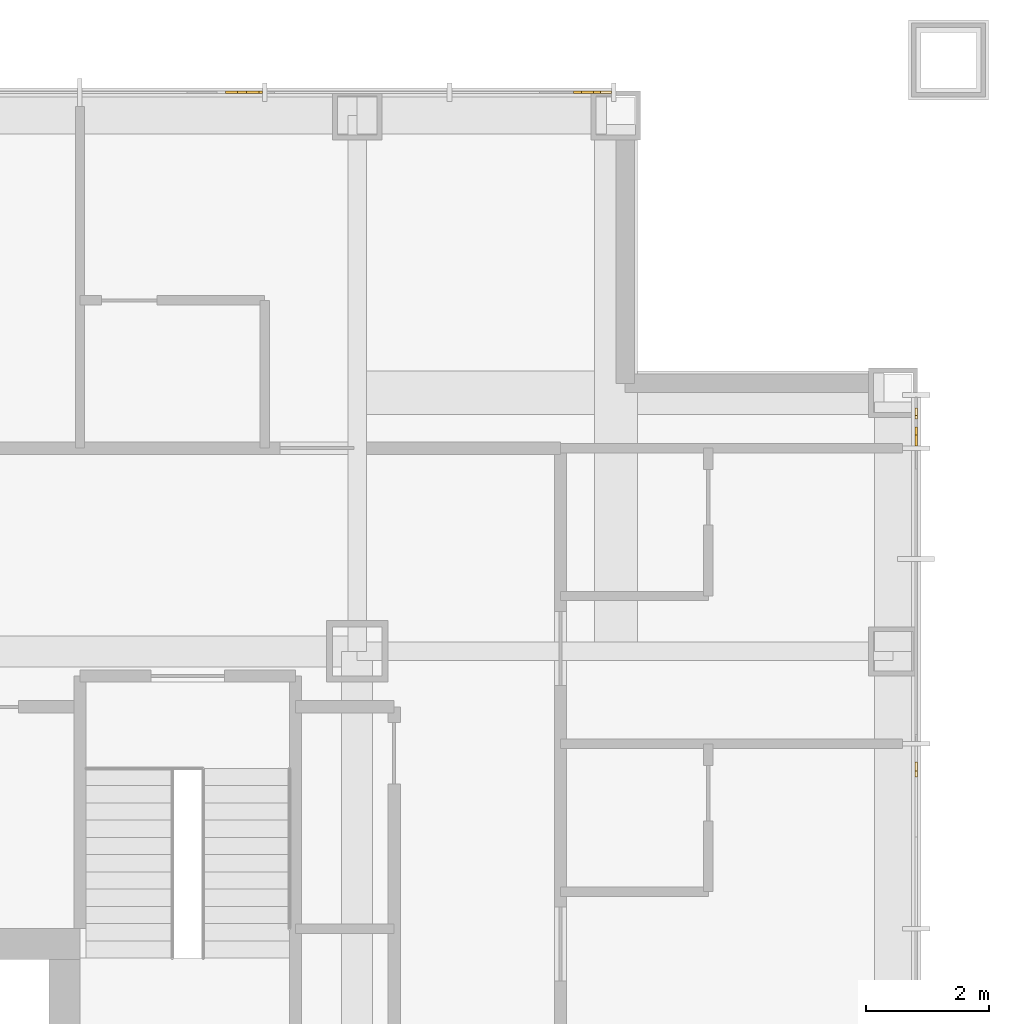
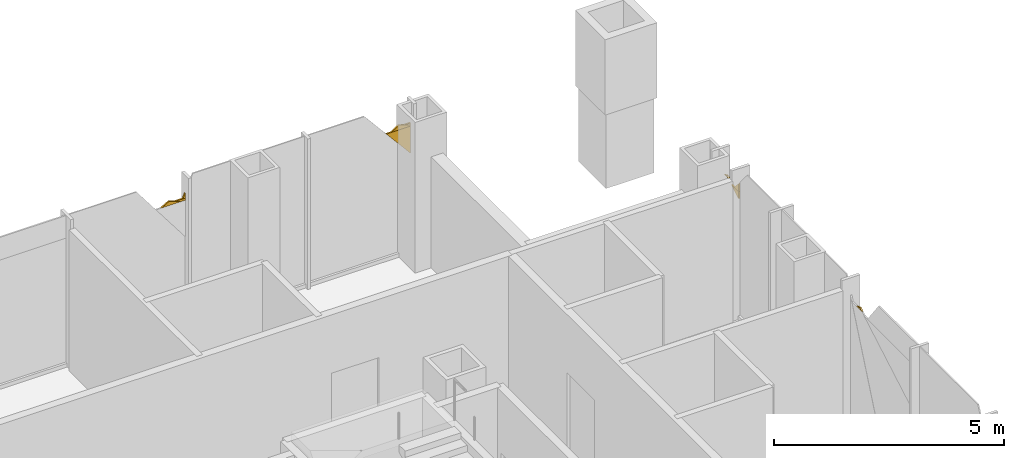
# One storey, part 21 of 25: 10 coverings.
"""IFC4 building model written with IfcOpenShell, lengths in metres."""

from ifc_helpers import new_model, si_unit, direction, frame, origin, place, context, subcontext, project, spatial, polyline, outline, extrude, material, layer, layer_set, type_object, element, save


model = new_model("IFC4")

# Units and contexts
model_context = context("Model", 3, precision=1e-05, world=origin(), true_north=direction((0.0, 1.0)))
body_context = subcontext(model_context, "Body", "Model", "MODEL_VIEW")
ifc_project = project(units=[si_unit("LENGTHUNIT", "METRE"), si_unit("AREAUNIT", "SQUARE_METRE"), si_unit("VOLUMEUNIT", "CUBIC_METRE"), si_unit("PLANEANGLEUNIT", "RADIAN"), si_unit("MASSUNIT", "GRAM", prefix="KILO")], contexts=[model_context])

# Site, building, storey
site_placement = place(None, origin())
site = spatial("IfcSite", under=ifc_project, at=site_placement, CompositionType="ELEMENT")
building_placement = place(site_placement, origin())
building = spatial("IfcBuilding", under=site, at=building_placement, Name="Malebo Sky Hospital", CompositionType="ELEMENT")
storey_placement = place(building_placement, frame((0.0, 0.0, 241.0)))
storey = spatial("IfcBuildingStorey", under=building, at=storey_placement, Name="L58", CompositionType="ELEMENT", Elevation=241.0)

# Coverings
ifc_material = material(Name="Anodised aluminium, natural silver insulated infill panel", Category="aluminium")
ifc_layer = layer(ifc_material, 0.0400390625)
ifc_layer_set = layer_set([ifc_layer], Name="BRACE INFILL PANEL 40")
covering_type = type_object("IfcCoveringType", Name="BRACE INFILL PANEL 40", PredefinedType="CLADDING", material=ifc_layer_set)
covering_1_placement = place(storey_placement, frame((71.61279296875, 84.574951171875, 3.34814453125), z_axis=(0.0, 0.0, 1.0), x_axis=(1.0, 0.0, 0.0)))
element("IfcCovering", 1, at=covering_1_placement, inside=storey, type_object=covering_type, Name="Brace infill panel 11.2", PredefinedType="CLADDING", context=body_context, shape_type="SweptSolid", body=[
    extrude(outline(polyline([(-0.24853515625, 0.0), (0.24853515625, 0.0), (-0.05615234375, 0.11083984375), (-0.24853515625, 0.0)])), frame((0.0, 0.02001953125, 0.0), z_axis=(0.0, -1.0, 0.0), x_axis=(1.0, 0.0, 0.0)), (0.0, 0.0, 1.0), 0.0400390625),
])
covering_2_placement = place(storey_placement, frame((71.8330078125, 84.574951171875, 3.34814453125), z_axis=(0.0, 0.0, 1.0), x_axis=(1.0, 0.0, 0.0)))
element("IfcCovering", 2, at=covering_2_placement, inside=storey, type_object=covering_type, Name="Brace infill panel 11.3", PredefinedType="CLADDING", context=body_context, shape_type="SweptSolid", body=[
    extrude(outline(polyline([(0.0283203125, 0.0), (0.12939453125, 0.0), (0.12939453125, 0.057373046875), (-0.12939453125, 0.057373046875), (0.0283203125, 0.0)])), frame((0.0, 0.02001953125, 0.0), z_axis=(0.0, -1.0, 0.0), x_axis=(1.0, 0.0, 0.0)), (0.0, 0.0, 1.0), 0.0400390625),
])
covering_3_placement = place(storey_placement, frame((71.93359375, 84.574951171875, 3.405517578125), z_axis=(0.0, 0.0, 1.0), x_axis=(1.0, 0.0, 0.0)))
element("IfcCovering", 3, at=covering_3_placement, inside=storey, type_object=covering_type, Name="Brace infill panel 11.4", PredefinedType="CLADDING", context=body_context, shape_type="SweptSolid", body=[
    extrude(outline(polyline([(-0.029052734375, 0.0), (0.029052734375, 0.0), (0.029052734375, 0.13525390625), (-0.029052734375, 0.0)])), frame((0.0, 0.02001953125, 0.0), z_axis=(0.0, -1.0, 0.0), x_axis=(1.0, 0.0, 0.0)), (0.0, 0.0, 1.0), 0.0400390625),
])
covering_4_placement = place(storey_placement, frame((77.3193359375, 84.574951171875, 2.609130859375), z_axis=(0.0, 0.0, 1.0), x_axis=(1.0, 0.0, 0.0)))
element("IfcCovering", 4, at=covering_4_placement, inside=storey, type_object=covering_type, Name="Brace infill panel 13.1", PredefinedType="CLADDING", context=body_context, shape_type="SweptSolid", body=[
    extrude(outline(polyline([(0.3056640625, 0.0), (0.3056640625, 0.72705078125), (-0.3056640625, 0.72705078125), (0.3056640625, 0.0)])), frame((0.0, 0.02001953125, 0.0), z_axis=(0.0, -1.0, 0.0), x_axis=(1.0, 0.0, 0.0)), (0.0, 0.0, 1.0), 0.0400390625),
])
covering_5_placement = place(storey_placement, frame((77.382568359375, 84.574951171875, 3.33642578125), z_axis=(0.0, 0.0, 1.0), x_axis=(1.0, 0.0, 0.0)))
element("IfcCovering", 5, at=covering_5_placement, inside=storey, type_object=covering_type, Name="Brace infill panel 13.2", PredefinedType="CLADDING", context=body_context, shape_type="SweptSolid", body=[
    extrude(outline(polyline([(-0.2421875, 0.0), (0.2421875, 0.0), (0.2421875, 0.029296875), (-0.048583984375, 0.122802734375), (-0.2421875, 0.0)])), frame((0.0, 0.02001953125, 0.0), z_axis=(0.0, -1.0, 0.0), x_axis=(1.0, 0.0, 0.0)), (0.0, 0.0, 1.0), 0.0400390625),
])
covering_6_placement = place(storey_placement, frame((77.538330078125, 84.574951171875, 3.36572265625), z_axis=(0.0, 0.0, 1.0), x_axis=(1.0, 0.0, 0.0)))
element("IfcCovering", 6, at=covering_6_placement, inside=storey, type_object=covering_type, Name="Brace infill panel 13.3", PredefinedType="CLADDING", context=body_context, shape_type="SweptSolid", body=[
    extrude(outline(polyline([(0.086669921875, 0.0), (0.086669921875, 0.0556640625), (-0.086669921875, 0.0556640625), (0.086669921875, 0.0)])), frame((0.0, 0.02001953125, 0.0), z_axis=(0.0, -1.0, 0.0), x_axis=(1.0, 0.0, 0.0)), (0.0, 0.0, 1.0), 0.0400390625),
])
covering_7_placement = place(storey_placement, frame((82.574951171875, 78.989013671875, 3.14404296875), z_axis=(0.0, 0.0, 1.0), x_axis=(0.0, -1.0, 0.0)))
element("IfcCovering", 7, at=covering_7_placement, inside=storey, type_object=covering_type, Name="Brace infill panel 1.1", PredefinedType="CLADDING", context=body_context, shape_type="SweptSolid", body=[
    extrude(outline(polyline([(0.151611328125, 0.0), (0.151611328125, 0.192138671875), (-0.1513671875, 0.192138671875), (0.151611328125, 0.0)])), frame((0.0, 0.02001953125, 0.0), z_axis=(0.0, -1.0, 0.0), x_axis=(1.0, 0.0, 0.0)), (0.0, 0.0, 1.0), 0.0400390625),
])
covering_8_placement = place(storey_placement, frame((82.574951171875, 78.925537109375, 3.33642578125), z_axis=(0.0, 0.0, 1.0), x_axis=(0.0, -1.0, 0.0)))
element("IfcCovering", 8, at=covering_8_placement, inside=storey, type_object=covering_type, Name="Brace infill panel 1.2", PredefinedType="CLADDING", context=body_context, shape_type="SweptSolid", body=[
    extrude(outline(polyline([(-0.087890625, 0.0), (0.088134765625, 0.0), (0.088134765625, 0.209716796875), (-0.087890625, 0.0)])), frame((0.0, 0.02001953125, 0.0), z_axis=(0.0, -1.0, 0.0), x_axis=(1.0, 0.0, 0.0)), (0.0, 0.0, 1.0), 0.0400390625),
])
covering_9_placement = place(storey_placement, frame((82.574951171875, 79.363037109375, 3.42138671875), z_axis=(0.0, 0.0, 1.0), x_axis=(0.0, -1.0, 0.0)))
element("IfcCovering", 9, at=covering_9_placement, inside=storey, type_object=covering_type, Name="Brace infill panel 1.3", PredefinedType="CLADDING", context=body_context, shape_type="SweptSolid", body=[
    extrude(outline(polyline([(-0.088623046875, 0.0), (0.088623046875, 0.0), (0.029052734375, 0.037841796875), (-0.088623046875, 0.0)])), frame((0.0, 0.02001953125, 0.0), z_axis=(0.0, -1.0, 0.0), x_axis=(1.0, 0.0, 0.0)), (0.0, 0.0, 1.0), 0.0400390625),
])
covering_10_placement = place(storey_placement, frame((82.574951171875, 73.583740234375, 3.4052734375), z_axis=(0.0, 0.0, 1.0), x_axis=(0.0, -1.0, 0.0)))
element("IfcCovering", 10, at=covering_10_placement, inside=storey, type_object=covering_type, Name="Brace infill panel 4.4", PredefinedType="CLADDING", context=body_context, shape_type="SweptSolid", body=[
    extrude(outline(polyline([(-0.119873046875, 0.0), (0.119873046875, 0.0), (0.027099609375, 0.053466796875), (-0.119873046875, 0.0)])), frame((0.0, 0.02001953125, 0.0), z_axis=(0.0, -1.0, 0.0), x_axis=(1.0, 0.0, 0.0)), (0.0, 0.0, 1.0), 0.0400390625),
])

save(model, "model.ifc")
